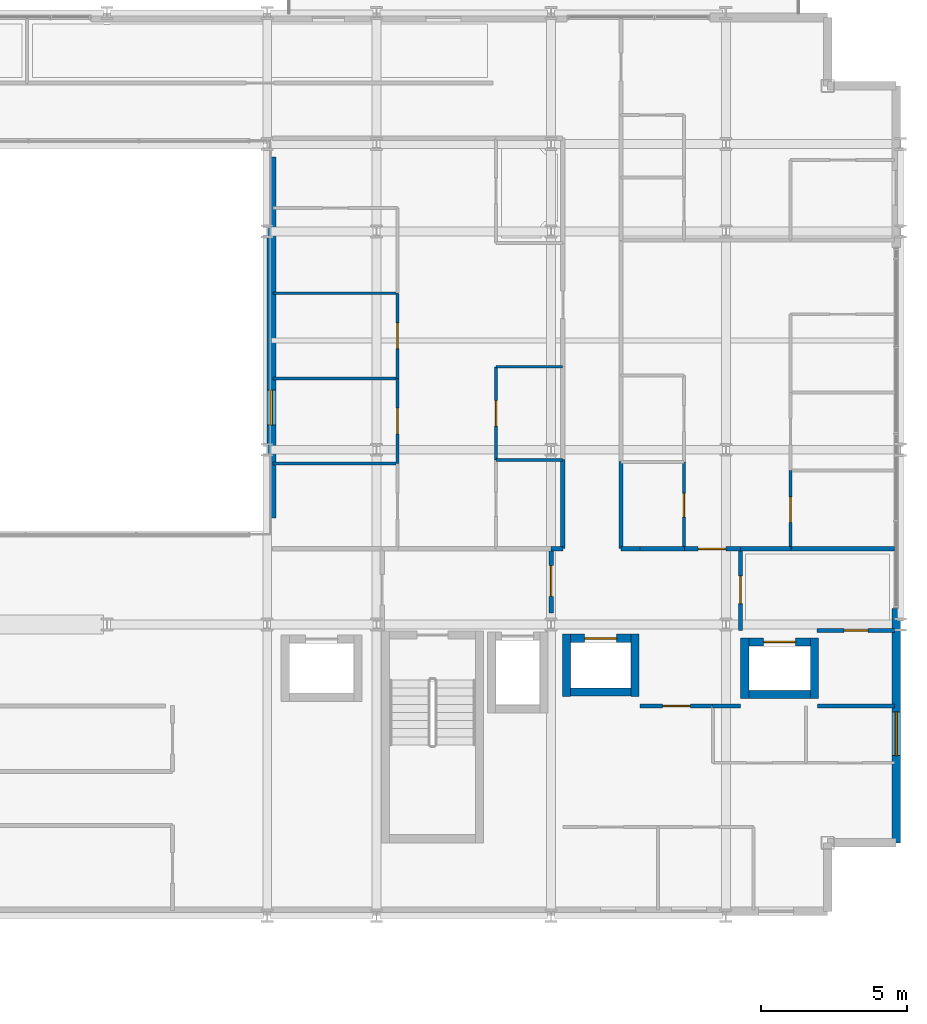
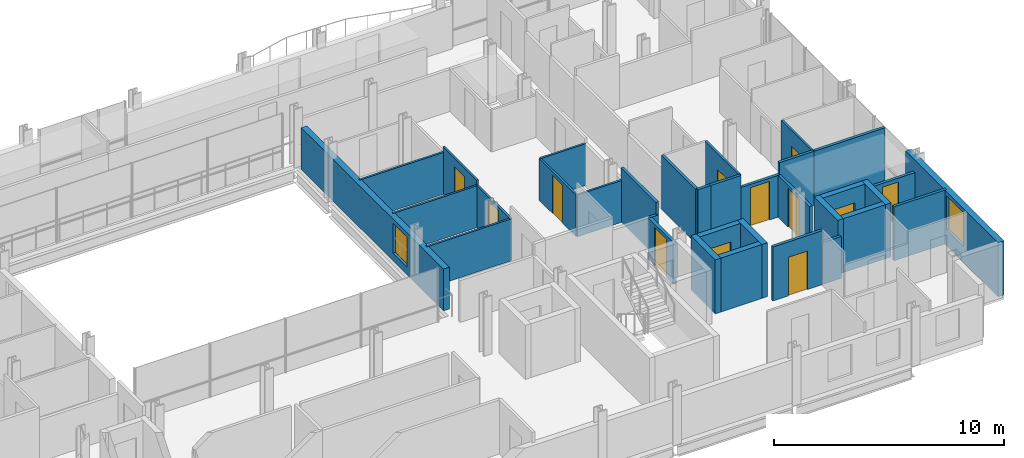
# One storey, part 35 of 41: 34 walls, 12 doors, 2 windows, 14 openings.
"""IFC4 building model written with IfcOpenShell, lengths in metres."""

from ifc_helpers import new_model, si_unit, direction, frame, frame_2d, origin, place, context, subcontext, project, spatial, rectangle, extrude, material, layer, layer_set, type_object, element, fill, save


model = new_model("IFC4")

# Units and contexts
model_context = context("Model", 3, precision=1e-05, world=origin(), true_north=direction((0.0, 1.0)))
body_context = subcontext(model_context, "Body", "Model", "MODEL_VIEW")
ifc_project = project(units=[si_unit("LENGTHUNIT", "METRE"), si_unit("AREAUNIT", "SQUARE_METRE"), si_unit("VOLUMEUNIT", "CUBIC_METRE"), si_unit("PLANEANGLEUNIT", "RADIAN"), si_unit("MASSUNIT", "GRAM", prefix="KILO")], contexts=[model_context])

# Site, building, storey
site_placement = place(None, origin())
site = spatial("IfcSite", under=ifc_project, at=site_placement, CompositionType="ELEMENT")
building_placement = place(site_placement, origin())
building = spatial("IfcBuilding", under=site, at=building_placement, Name="Brevholm Reach", CompositionType="ELEMENT")
storey_placement = place(building_placement, frame((0.0, 0.0, 68.300048828125)))
storey = spatial("IfcBuildingStorey", under=building, at=storey_placement, Name="L19", CompositionType="ELEMENT", Elevation=68.300048828125)

# Walls
ifc_material_1 = material(Name="Concrete C50/60", Category="concrete")
ifc_layer_1 = layer(ifc_material_1, 0.280029296875)
ifc_layer_set_1 = layer_set([ifc_layer_1], Name="Concrete C50/60")
wall_type_1 = type_object("IfcWallType", Name="WAL-COR-280", PredefinedType="SHEAR", material=ifc_layer_set_1)
for number, where, z_axis, x_axis, name in (
    (1, (48.52490234375, 7.534912109375, 0.0), (0.0, 0.0, 1.0), (0.0, 1.0, 0.0), "L19 Lift PL-L1 Shaft Wall W"),
    (2, (50.875, 7.534912109375, 0.0), (0.0, 0.0, 1.0), (0.0, 1.0, 0.0), "L19 Lift PL-L1 Shaft Wall E"),
):
    element("IfcWall", number, at=place(storey_placement, frame(where, z_axis=z_axis, x_axis=x_axis)), inside=storey, type_object=wall_type_1, Name=name, PredefinedType="SHEAR", context=body_context, shape_type="SweptSolid", body=[
        extrude(rectangle(XDim=2.130126953125, YDim=0.280029296875, at=frame_2d((1.06494140625, 0.0))), origin(), (0.0, 0.0, 1.0), 2.869873046875),
    ])
wall_1_placement = place(storey_placement, frame((48.6650390625, 7.675048828125, 0.0), z_axis=(0.0, 0.0, 1.0), x_axis=(1.0, 0.0, 0.0)))
element("IfcWall", 3, at=wall_1_placement, inside=storey, type_object=wall_type_1, Name="L19 Lift PL-L1 Shaft Wall S", PredefinedType="SHEAR", context=body_context, shape_type="SweptSolid", body=[
    extrude(rectangle(XDim=2.070068359375, YDim=0.280029296875, at=frame_2d((1.03515625, 0.0))), origin(), (0.0, 0.0, 1.0), 2.869873046875),
])

# Wall, opening, door
wall_2_placement = place(storey_placement, frame((48.6650390625, 9.52490234375, 0.0), z_axis=(0.0, 0.0, 1.0), x_axis=(1.0, 0.0, 0.0)))
wall_2 = element("IfcWall", 4, at=wall_2_placement, inside=storey, type_object=wall_type_1, Name="L19 Lift PL-L1 Shaft Wall N", PredefinedType="SHEAR", context=body_context, shape_type="SweptSolid", body=[
    extrude(rectangle(XDim=2.070068359375, YDim=0.280029296875, at=frame_2d((1.03515625, 0.0))), origin(), (0.0, 0.0, 1.0), 2.869873046875),
])
opening_1_placement = place(wall_2_placement, frame((0.485107421875, 0.0, 0.0)))
opening_1 = element("IfcOpeningElement", 5, at=opening_1_placement, cuts=wall_2, Name="Opening LD-PL-L1", PredefinedType="OPENING", context=body_context, shape_type="SweptSolid", body=[
    extrude(rectangle(XDim=1.10009765625, YDim=2.06005859375, at=frame_2d((0.550048828125, 1.030029296875))), frame((0.0, 0.14990234375, 0.0), z_axis=(0.0, -1.0, 0.0), x_axis=(1.0, 0.0, 0.0)), (0.0, 0.0, 1.0), 0.300048828125),
])
ifc_material_2 = material(Name="Brushed Stainless Steel Fire-Rated Sliding Lift Door", Category="steel")
door_type_1 = type_object("IfcDoorType", Name="DOR-LFT-1100", OperationType="NOTDEFINED", PredefinedType="DOOR", material=ifc_material_2)
door_1_placement = place(opening_1_placement, origin())
door_1 = element("IfcDoor", 6, at=door_1_placement, inside=storey, type_object=door_type_1, Name="L19 Lift PL-L1 Sliding Landing Door", OperationType="SLIDING_TO_LEFT", OverallHeight=2.06005859375, OverallWidth=1.10009765625, PredefinedType="DOOR", context=body_context, shape_type="SweptSolid", body=[
    extrude(rectangle(XDim=1.10009765625, YDim=2.06005859375, at=frame_2d((0.550048828125, 1.030029296875))), frame((0.0, 0.02490234375, 0.0), z_axis=(0.0, -1.0, 0.0), x_axis=(1.0, 0.0, 0.0)), (0.0, 0.0, 1.0), 0.050048828125),
])
fill(opening_1, door_1)

# Walls
for number, where, z_axis, x_axis, name in (
    (7, (54.64990234375, 7.4599609375, 0.0), (0.0, 0.0, 1.0), (0.0, 1.0, 0.0), "L19 Lift PL-L2 Shaft Wall W"),
    (8, (57.050048828125, 7.4599609375, 0.0), (0.0, 0.0, 1.0), (0.0, 1.0, 0.0), "L19 Lift PL-L2 Shaft Wall E"),
):
    element("IfcWall", number, at=place(storey_placement, frame(where, z_axis=z_axis, x_axis=x_axis)), inside=storey, type_object=wall_type_1, Name=name, PredefinedType="SHEAR", context=body_context, shape_type="SweptSolid", body=[
        extrude(rectangle(XDim=2.080078125, YDim=0.280029296875, at=frame_2d((1.0400390625, 0.0))), origin(), (0.0, 0.0, 1.0), 2.869873046875),
    ])
wall_3_placement = place(storey_placement, frame((54.7900390625, 7.60009765625, 0.0), z_axis=(0.0, 0.0, 1.0), x_axis=(1.0, 0.0, 0.0)))
element("IfcWall", 9, at=wall_3_placement, inside=storey, type_object=wall_type_1, Name="L19 Lift PL-L2 Shaft Wall S", PredefinedType="SHEAR", context=body_context, shape_type="SweptSolid", body=[
    extrude(rectangle(XDim=2.119873046875, YDim=0.280029296875, at=frame_2d((1.06005859375, 0.0))), origin(), (0.0, 0.0, 1.0), 2.869873046875),
])

# Wall, opening, door
wall_4_placement = place(storey_placement, frame((54.7900390625, 9.39990234375, 0.0), z_axis=(0.0, 0.0, 1.0), x_axis=(1.0, 0.0, 0.0)))
wall_4 = element("IfcWall", 10, at=wall_4_placement, inside=storey, type_object=wall_type_1, Name="L19 Lift PL-L2 Shaft Wall N", PredefinedType="SHEAR", context=body_context, shape_type="SweptSolid", body=[
    extrude(rectangle(XDim=2.119873046875, YDim=0.280029296875, at=frame_2d((1.06005859375, 0.0))), origin(), (0.0, 0.0, 1.0), 2.869873046875),
])
opening_2_placement = place(wall_4_placement, frame((0.510009765625, 0.0, 0.0)))
opening_2 = element("IfcOpeningElement", 11, at=opening_2_placement, cuts=wall_4, Name="Opening LD-PL-L2", PredefinedType="OPENING", context=body_context, shape_type="SweptSolid", body=[
    extrude(rectangle(XDim=1.10009765625, YDim=2.06005859375, at=frame_2d((0.550048828125, 1.030029296875))), frame((0.0, 0.14990234375, 0.0), z_axis=(0.0, -1.0, 0.0), x_axis=(1.0, 0.0, 0.0)), (0.0, 0.0, 1.0), 0.300048828125),
])
door_2_placement = place(opening_2_placement, origin())
door_2 = element("IfcDoor", 12, at=door_2_placement, inside=storey, type_object=door_type_1, Name="L19 Lift PL-L2 Sliding Landing Door", OperationType="SLIDING_TO_RIGHT", OverallHeight=2.06005859375, OverallWidth=1.10009765625, PredefinedType="DOOR", context=body_context, shape_type="SweptSolid", body=[
    extrude(rectangle(XDim=1.10009765625, YDim=2.06005859375, at=frame_2d((0.550048828125, 1.030029296875))), frame((0.0, 0.02490234375, 0.0), z_axis=(0.0, -1.0, 0.0), x_axis=(1.0, 0.0, 0.0)), (0.0, 0.0, 1.0), 0.050048828125),
])
fill(opening_2, door_2)

# Wall, opening, window
ifc_material_3 = material(Name="Concrete C40/50", Category="concrete")
ifc_layer_2 = layer(ifc_material_3, 0.300048828125)
ifc_layer_set_2 = layer_set([ifc_layer_2], Name="Concrete C40/50")
wall_type_2 = type_object("IfcWallType", Name="WAL-EXT-300", PredefinedType="STANDARD", material=ifc_layer_set_2)
wall_5_placement = place(storey_placement, frame((59.85009765625, 2.5, 0.0), z_axis=(0.0, 0.0, 1.0), x_axis=(0.0, 1.0, 0.0)))
wall_5 = element("IfcWall", 13, at=wall_5_placement, inside=storey, type_object=wall_type_2, Name="L19 Facade Wall WAL-L19-E-S", PredefinedType="STANDARD", context=body_context, shape_type="SweptSolid", body=[
    extrude(rectangle(XDim=8.050048828125, YDim=0.300048828125, at=frame_2d((4.02490234375, 0.0))), origin(), (0.0, 0.0, 1.0), 2.869873046875),
])
opening_3_placement = place(wall_5_placement, frame((3.0, 0.0, 0.85009765625)))
opening_3 = element("IfcOpeningElement", 14, at=opening_3_placement, cuts=wall_5, Name="Opening WN-05", PredefinedType="OPENING", context=body_context, shape_type="SweptSolid", body=[
    extrude(rectangle(XDim=1.5, YDim=1.800048828125, at=frame_2d((0.75, 0.89990234375))), frame((0.0, 0.159912109375, 0.0), z_axis=(0.0, -1.0, 0.0), x_axis=(1.0, 0.0, 0.0)), (0.0, 0.0, 1.0), 0.320068359375),
])
ifc_material_4 = material(Name="Dark Anodised Aluminium and Solar-Control IGU Glass", Category="aluminium")
window_type_1 = type_object("IfcWindowType", Name="WIN-RES-1500", PartitioningType="SINGLE_PANEL", PredefinedType="WINDOW", material=ifc_material_4)
window_1_placement = place(opening_3_placement, origin())
window_1 = element("IfcWindow", 15, at=window_1_placement, inside=storey, type_object=window_type_1, Name="L19 Window WIN-L19-ES-1", OverallHeight=1.800048828125, OverallWidth=1.5, PartitioningType="SINGLE_PANEL", PredefinedType="WINDOW", context=body_context, shape_type="SweptSolid", body=[
    extrude(rectangle(XDim=1.5, YDim=1.800048828125, at=frame_2d((0.75, 0.89990234375))), frame((0.0, 0.030029296875, 0.0), z_axis=(0.0, -1.0, 0.0), x_axis=(1.0, 0.0, 0.0)), (0.0, 0.0, 1.0), 0.06005859375),
])
fill(opening_3, window_1)

wall_6_placement = place(storey_placement, frame((38.39990234375, 13.64990234375, 0.0), z_axis=(0.0, 0.0, 1.0), x_axis=(0.0, 1.0, 0.0)))
wall_6 = element("IfcWall", 16, at=wall_6_placement, inside=storey, type_object=wall_type_2, Name="L19 Facade Wall WAL-L19-AT-E", PredefinedType="STANDARD", context=body_context, shape_type="SweptSolid", body=[
    extrude(rectangle(XDim=12.400146484375, YDim=0.300048828125, at=frame_2d((6.2001953125, 0.0))), origin(), (0.0, 0.0, 1.0), 2.224853515625),
])
opening_4_placement = place(wall_6_placement, frame((3.199951171875, 0.0, 0.405029296875)))
opening_4 = element("IfcOpeningElement", 17, at=opening_4_placement, cuts=wall_6, Name="Opening WN-08", PredefinedType="OPENING", context=body_context, shape_type="SweptSolid", body=[
    extrude(rectangle(XDim=1.199951171875, YDim=1.60009765625, at=frame_2d((0.60009765625, 0.800048828125))), frame((0.0, 0.159912109375, 0.0), z_axis=(0.0, -1.0, 0.0), x_axis=(1.0, 0.0, 0.0)), (0.0, 0.0, 1.0), 0.320068359375),
])
ifc_material_5 = material(Name="Dark Anodised Aluminium and Solar-Control IGU Glass", Category="aluminium")
window_type_2 = type_object("IfcWindowType", Name="WIN-RES-1200", PartitioningType="SINGLE_PANEL", PredefinedType="WINDOW", material=ifc_material_5)
window_2_placement = place(opening_4_placement, origin())
window_2 = element("IfcWindow", 18, at=window_2_placement, inside=storey, type_object=window_type_2, Name="L19 Window WIN-L19-AT-E1", OverallHeight=1.60009765625, OverallWidth=1.199951171875, PartitioningType="SINGLE_PANEL", PredefinedType="WINDOW", context=body_context, shape_type="SweptSolid", body=[
    extrude(rectangle(XDim=1.199951171875, YDim=1.60009765625, at=frame_2d((0.60009765625, 0.800048828125))), frame((0.0, 0.030029296875, 0.0), z_axis=(0.0, -1.0, 0.0), x_axis=(1.0, 0.0, 0.0)), (0.0, 0.0, 1.0), 0.06005859375),
])
fill(opening_4, window_2)

# Walls
ifc_material_6 = material(Name="Moisture-Resistant Acoustic Gypsum Stud Partition 100 mm", Category="gypsum")
ifc_layer_3 = layer(ifc_material_6, 0.10009765625)
ifc_layer_set_3 = layer_set([ifc_layer_3], Name="Moisture-Resistant Acoustic Gypsum Stud Partition 100 mm")
wall_type_3 = type_object("IfcWallType", Name="WAL-PRT-100", PredefinedType="PARTITIONING", material=ifc_layer_set_3)
for number, where, z_axis, x_axis, name in (
    (19, (46.112060546875, 15.64990234375, 0.0), (0.0, 0.0, 1.0), (1.0, 0.0, 0.0), "L19 Internal Partition 124"),
    (20, (46.112060546875, 18.85009765625, 0.0), (0.0, 0.0, 1.0), (1.0, 0.0, 0.0), "L19 Internal Partition 126"),
):
    element("IfcWall", number, at=place(storey_placement, frame(where, z_axis=z_axis, x_axis=x_axis)), inside=storey, type_object=wall_type_3, Name=name, PredefinedType="PARTITIONING", context=body_context, shape_type="SweptSolid", body=[
        extrude(rectangle(XDim=2.283935546875, YDim=0.10009765625, at=frame_2d((1.14208984375, 0.0))), origin(), (0.0, 0.0, 1.0), 2.224853515625),
    ])

# Wall, opening, door
wall_7_placement = place(storey_placement, frame((46.112060546875, 15.654052734375, 0.0), z_axis=(0.0, 0.0, 1.0), x_axis=(0.0, 1.0, 0.0)))
wall_7 = element("IfcWall", 21, at=wall_7_placement, inside=storey, type_object=wall_type_3, Name="L19 Internal Partition 127", PredefinedType="PARTITIONING", context=body_context, shape_type="SweptSolid", body=[
    extrude(rectangle(XDim=3.196044921875, YDim=0.10009765625, at=frame_2d((1.59814453125, 0.0))), origin(), (0.0, 0.0, 1.0), 2.224853515625),
])
opening_5_placement = place(wall_7_placement, frame((1.157958984375, 0.0, 0.0)))
opening_5 = element("IfcOpeningElement", 22, at=opening_5_placement, cuts=wall_7, Name="Opening ID-01", PredefinedType="OPENING", context=body_context, shape_type="SweptSolid", body=[
    extrude(rectangle(XDim=0.8798828125, YDim=2.0400390625, at=frame_2d((0.43994140625, 1.02001953125))), frame((0.0, 0.06005859375, 0.0), z_axis=(0.0, -1.0, 0.0), x_axis=(1.0, 0.0, 0.0)), (0.0, 0.0, 1.0), 0.1201171875),
])
ifc_material_7 = material(Name="Lacquered Ash Solid-Core Acoustic Internal Door", Category="timber")
door_type_2 = type_object("IfcDoorType", Name="DOR-INT-880", OperationType="NOTDEFINED", PredefinedType="DOOR", material=ifc_material_7)
door_3_placement = place(opening_5_placement, origin())
door_3 = element("IfcDoor", 23, at=door_3_placement, inside=storey, type_object=door_type_2, Name="L19 Internal Door 049", OperationType="SINGLE_SWING_LEFT", OverallHeight=2.0400390625, OverallWidth=0.8798828125, PredefinedType="DOOR", context=body_context, shape_type="SweptSolid", body=[
    extrude(rectangle(XDim=0.8798828125, YDim=2.0400390625, at=frame_2d((0.43994140625, 1.02001953125))), frame((0.0, 0.02490234375, 0.0), z_axis=(0.0, -1.0, 0.0), x_axis=(1.0, 0.0, 0.0)), (0.0, 0.0, 1.0), 0.050048828125),
])
fill(opening_5, door_3)

# Walls
for number, where, z_axis, x_axis, name in (
    (24, (38.449951171875, 15.52490234375, 0.0), (0.0, 0.0, 1.0), (1.0, 0.0, 0.0), "L19 Internal Partition 130"),
    (25, (38.449951171875, 18.449951171875, 0.0), (0.0, 0.0, 1.0), (1.0, 0.0, 0.0), "L19 Internal Partition 132"),
):
    element("IfcWall", number, at=place(storey_placement, frame(where, z_axis=z_axis, x_axis=x_axis)), inside=storey, type_object=wall_type_3, Name=name, PredefinedType="PARTITIONING", context=body_context, shape_type="SweptSolid", body=[
        extrude(rectangle(XDim=4.278076171875, YDim=0.10009765625, at=frame_2d((2.13916015625, 0.0))), origin(), (0.0, 0.0, 1.0), 2.224853515625),
    ])

# Wall, opening, door
wall_8_placement = place(storey_placement, frame((42.72802734375, 15.529052734375, 0.0), z_axis=(0.0, 0.0, 1.0), x_axis=(0.0, 1.0, 0.0)))
wall_8 = element("IfcWall", 26, at=wall_8_placement, inside=storey, type_object=wall_type_3, Name="L19 Internal Partition 133", PredefinedType="PARTITIONING", context=body_context, shape_type="SweptSolid", body=[
    extrude(rectangle(XDim=2.9208984375, YDim=0.10009765625, at=frame_2d((1.46044921875, 0.0))), origin(), (0.0, 0.0, 1.0), 2.224853515625),
])
opening_6_placement = place(wall_8_placement, frame((1.0205078125, 0.0, 0.0)))
opening_6 = element("IfcOpeningElement", 27, at=opening_6_placement, cuts=wall_8, Name="Opening ID-01", PredefinedType="OPENING", context=body_context, shape_type="SweptSolid", body=[
    extrude(rectangle(XDim=0.8798828125, YDim=2.0400390625, at=frame_2d((0.43994140625, 1.02001953125))), frame((0.0, 0.06005859375, 0.0), z_axis=(0.0, -1.0, 0.0), x_axis=(1.0, 0.0, 0.0)), (0.0, 0.0, 1.0), 0.1201171875),
])
door_4_placement = place(opening_6_placement, origin())
door_4 = element("IfcDoor", 28, at=door_4_placement, inside=storey, type_object=door_type_2, Name="L19 Internal Door 052", OperationType="SINGLE_SWING_RIGHT", OverallHeight=2.0400390625, OverallWidth=0.8798828125, PredefinedType="DOOR", context=body_context, shape_type="SweptSolid", body=[
    extrude(rectangle(XDim=0.8798828125, YDim=2.0400390625, at=frame_2d((0.43994140625, 1.02001953125))), frame((0.0, 0.02490234375, 0.0), z_axis=(0.0, -1.0, 0.0), x_axis=(1.0, 0.0, 0.0)), (0.0, 0.0, 1.0), 0.050048828125),
])
fill(opening_6, door_4)

# Wall
wall_9_placement = place(storey_placement, frame((38.449951171875, 21.375, 0.0), z_axis=(0.0, 0.0, 1.0), x_axis=(1.0, 0.0, 0.0)))
element("IfcWall", 29, at=wall_9_placement, inside=storey, type_object=wall_type_3, Name="L19 Internal Partition 134", PredefinedType="PARTITIONING", context=body_context, shape_type="SweptSolid", body=[
    extrude(rectangle(XDim=4.278076171875, YDim=0.10009765625, at=frame_2d((2.13916015625, 0.0))), origin(), (0.0, 0.0, 1.0), 2.224853515625),
])

# Wall, opening, door
wall_10_placement = place(storey_placement, frame((42.72802734375, 18.4541015625, 0.0), z_axis=(0.0, 0.0, 1.0), x_axis=(0.0, 1.0, 0.0)))
wall_10 = element("IfcWall", 30, at=wall_10_placement, inside=storey, type_object=wall_type_3, Name="L19 Internal Partition 135", PredefinedType="PARTITIONING", context=body_context, shape_type="SweptSolid", body=[
    extrude(rectangle(XDim=2.9208984375, YDim=0.10009765625, at=frame_2d((1.46044921875, 0.0))), origin(), (0.0, 0.0, 1.0), 2.489990234375),
])
opening_7_placement = place(wall_10_placement, frame((1.0205078125, 0.0, 0.0)))
opening_7 = element("IfcOpeningElement", 31, at=opening_7_placement, cuts=wall_10, Name="Opening ID-01", PredefinedType="OPENING", context=body_context, shape_type="SweptSolid", body=[
    extrude(rectangle(XDim=0.8798828125, YDim=2.0400390625, at=frame_2d((0.43994140625, 1.02001953125))), frame((0.0, 0.06005859375, 0.0), z_axis=(0.0, -1.0, 0.0), x_axis=(1.0, 0.0, 0.0)), (0.0, 0.0, 1.0), 0.1201171875),
])
door_5_placement = place(opening_7_placement, origin())
door_5 = element("IfcDoor", 32, at=door_5_placement, inside=storey, type_object=door_type_2, Name="L19 Internal Door 053", OperationType="SINGLE_SWING_LEFT", OverallHeight=2.0400390625, OverallWidth=0.8798828125, PredefinedType="DOOR", context=body_context, shape_type="SweptSolid", body=[
    extrude(rectangle(XDim=0.8798828125, YDim=2.0400390625, at=frame_2d((0.43994140625, 1.02001953125))), frame((0.0, 0.02490234375, 0.0), z_axis=(0.0, -1.0, 0.0), x_axis=(1.0, 0.0, 0.0)), (0.0, 0.0, 1.0), 0.050048828125),
])
fill(opening_7, door_5)

wall_11_placement = place(storey_placement, frame((52.56201171875, 12.60400390625, 0.0), z_axis=(0.0, 0.0, 1.0), x_axis=(0.0, 1.0, 0.0)))
wall_11 = element("IfcWall", 33, at=wall_11_placement, inside=storey, type_object=wall_type_3, Name="L19 Internal Partition 139", PredefinedType="PARTITIONING", context=body_context, shape_type="SweptSolid", body=[
    extrude(rectangle(XDim=2.97802734375, YDim=0.10009765625, at=frame_2d((1.489013671875, 0.0))), origin(), (0.0, 0.0, 1.0), 2.869873046875),
])
opening_8_placement = place(wall_11_placement, frame((1.0791015625, 0.0, 0.0)))
opening_8 = element("IfcOpeningElement", 34, at=opening_8_placement, cuts=wall_11, Name="Opening ID-03", PredefinedType="OPENING", context=body_context, shape_type="SweptSolid", body=[
    extrude(rectangle(XDim=0.820068359375, YDim=2.02001953125, at=frame_2d((0.41015625, 1.010009765625))), frame((0.0, 0.06005859375, 0.0), z_axis=(0.0, -1.0, 0.0), x_axis=(1.0, 0.0, 0.0)), (0.0, 0.0, 1.0), 0.1201171875),
])
ifc_material_8 = material(Name="Moisture-Resistant Painted Timber Internal Bathroom Door", Category="wood")
door_type_3 = type_object("IfcDoorType", Name="DOR-BATH-820", OperationType="NOTDEFINED", PredefinedType="DOOR", material=ifc_material_8)
door_6_placement = place(opening_8_placement, origin())
door_6 = element("IfcDoor", 35, at=door_6_placement, inside=storey, type_object=door_type_3, Name="L19 Internal Door 055", OperationType="SINGLE_SWING_LEFT", OverallHeight=2.02001953125, OverallWidth=0.820068359375, PredefinedType="DOOR", context=body_context, shape_type="SweptSolid", body=[
    extrude(rectangle(XDim=0.820068359375, YDim=2.02001953125, at=frame_2d((0.41015625, 1.010009765625))), frame((0.0, 0.02490234375, 0.0), z_axis=(0.0, -1.0, 0.0), x_axis=(1.0, 0.0, 0.0)), (0.0, 0.0, 1.0), 0.050048828125),
])
fill(opening_8, door_6)

wall_12_placement = place(storey_placement, frame((56.22802734375, 12.60400390625, 0.0), z_axis=(0.0, 0.0, 1.0), x_axis=(0.0, 1.0, 0.0)))
wall_12 = element("IfcWall", 36, at=wall_12_placement, inside=storey, type_object=wall_type_3, Name="L19 Internal Partition 143", PredefinedType="PARTITIONING", context=body_context, shape_type="SweptSolid", body=[
    extrude(rectangle(XDim=2.680908203125, YDim=0.10009765625, at=frame_2d((1.34033203125, 0.0))), origin(), (0.0, 0.0, 1.0), 2.869873046875),
])
opening_9_placement = place(wall_12_placement, frame((0.900390625, 0.0, 0.0)))
opening_9 = element("IfcOpeningElement", 37, at=opening_9_placement, cuts=wall_12, Name="Opening ID-01", PredefinedType="OPENING", context=body_context, shape_type="SweptSolid", body=[
    extrude(rectangle(XDim=0.8798828125, YDim=2.0400390625, at=frame_2d((0.43994140625, 1.02001953125))), frame((0.0, 0.06005859375, 0.0), z_axis=(0.0, -1.0, 0.0), x_axis=(1.0, 0.0, 0.0)), (0.0, 0.0, 1.0), 0.1201171875),
])
door_7_placement = place(opening_9_placement, origin())
door_7 = element("IfcDoor", 38, at=door_7_placement, inside=storey, type_object=door_type_2, Name="L19 Internal Door 057", OperationType="SINGLE_SWING_LEFT", OverallHeight=2.0400390625, OverallWidth=0.8798828125, PredefinedType="DOOR", context=body_context, shape_type="SweptSolid", body=[
    extrude(rectangle(XDim=0.8798828125, YDim=2.0400390625, at=frame_2d((0.43994140625, 1.02001953125))), frame((0.0, 0.02490234375, 0.0), z_axis=(0.0, -1.0, 0.0), x_axis=(1.0, 0.0, 0.0)), (0.0, 0.0, 1.0), 0.050048828125),
])
fill(opening_9, door_7)

ifc_material_9 = material(Name="Twin-Stud Acoustic Fire-Rated Gypsum Partition 140 mm", Category="gypsum")
ifc_layer_4 = layer(ifc_material_9, 0.139892578125)
ifc_layer_set_4 = layer_set([ifc_layer_4], Name="Twin-Stud Acoustic Fire-Rated Gypsum Partition 140 mm")
wall_type_4 = type_object("IfcWallType", Name="WAL-PRT-140", PredefinedType="PARTITIONING", material=ifc_layer_set_4)
wall_13_placement = place(storey_placement, frame((54.5, 9.788818359375, 0.0), z_axis=(0.0, 0.0, 1.0), x_axis=(0.0, 1.0, 0.0)))
wall_13 = element("IfcWall", 39, at=wall_13_placement, inside=storey, type_object=wall_type_4, Name="L19 Internal Partition 013", PredefinedType="PARTITIONING", context=body_context, shape_type="SweptSolid", body=[
    extrude(rectangle(XDim=2.811279296875, YDim=0.139892578125, at=frame_2d((1.40576171875, 0.0))), origin(), (0.0, 0.0, 1.0), 2.224853515625),
])
opening_10_placement = place(wall_13_placement, frame((0.9306640625, 0.0, 0.0)))
opening_10 = element("IfcOpeningElement", 40, at=opening_10_placement, cuts=wall_13, Name="Opening ID-30", PredefinedType="OPENING", context=body_context, shape_type="SweptSolid", body=[
    extrude(rectangle(XDim=0.949951171875, YDim=2.050048828125, at=frame_2d((0.47509765625, 1.02490234375))), frame((0.0, 0.079833984375, 0.0), z_axis=(0.0, -1.0, 0.0), x_axis=(1.0, 0.0, 0.0)), (0.0, 0.0, 1.0), 0.159912109375),
])
ifc_material_10 = material(Name="European Oak Veneered Solid-Core Fire Entrance Door", Category="timber")
door_type_4 = type_object("IfcDoorType", Name="DOR-FLT-FD30S", OperationType="NOTDEFINED", PredefinedType="DOOR", material=ifc_material_10)
door_8_placement = place(opening_10_placement, origin())
door_8 = element("IfcDoor", 41, at=door_8_placement, inside=storey, type_object=door_type_4, Name="L19 Internal Door 008", OperationType="SINGLE_SWING_RIGHT", OverallHeight=2.050048828125, OverallWidth=0.949951171875, PredefinedType="DOOR", context=body_context, shape_type="SweptSolid", body=[
    extrude(rectangle(XDim=0.949951171875, YDim=2.050048828125, at=frame_2d((0.47509765625, 1.02490234375))), frame((0.0, 0.02490234375, 0.0), z_axis=(0.0, -1.0, 0.0), x_axis=(1.0, 0.0, 0.0)), (0.0, 0.0, 1.0), 0.050048828125),
])
fill(opening_10, door_8)

# Wall
wall_14_placement = place(storey_placement, frame((53.546630859375, 7.199951171875, 0.0), z_axis=(0.0, 0.0, 1.0), x_axis=(1.0, 0.0, 0.0)))
element("IfcWall", 42, at=wall_14_placement, inside=storey, type_object=wall_type_4, Name="L19 Internal Partition 014", PredefinedType="PARTITIONING", context=body_context, shape_type="SweptSolid", body=[
    extrude(rectangle(XDim=0.953369140625, YDim=0.139892578125, at=frame_2d((0.4765625, 0.0))), origin(), (0.0, 0.0, 1.0), 2.224853515625),
])

# Wall, opening, door
wall_15_placement = place(storey_placement, frame((51.050048828125, 7.199951171875, 0.0), z_axis=(0.0, 0.0, 1.0), x_axis=(1.0, 0.0, 0.0)))
wall_15 = element("IfcWall", 43, at=wall_15_placement, inside=storey, type_object=wall_type_4, Name="L19 Internal Partition 015", PredefinedType="PARTITIONING", context=body_context, shape_type="SweptSolid", body=[
    extrude(rectangle(XDim=2.51513671875, YDim=0.139892578125, at=frame_2d((1.257568359375, 0.0))), origin(), (0.0, 0.0, 1.0), 2.869873046875),
])
opening_11_placement = place(wall_15_placement, frame((0.78271484375, 0.0, 0.0)))
opening_11 = element("IfcOpeningElement", 44, at=opening_11_placement, cuts=wall_15, Name="Opening ID-30", PredefinedType="OPENING", context=body_context, shape_type="SweptSolid", body=[
    extrude(rectangle(XDim=0.949951171875, YDim=2.050048828125, at=frame_2d((0.47509765625, 1.02490234375))), frame((0.0, 0.079833984375, 0.0), z_axis=(0.0, -1.0, 0.0), x_axis=(1.0, 0.0, 0.0)), (0.0, 0.0, 1.0), 0.159912109375),
])
door_9_placement = place(opening_11_placement, origin())
door_9 = element("IfcDoor", 45, at=door_9_placement, inside=storey, type_object=door_type_4, Name="L19 Internal Door 009", OperationType="SINGLE_SWING_LEFT", OverallHeight=2.050048828125, OverallWidth=0.949951171875, PredefinedType="DOOR", context=body_context, shape_type="SweptSolid", body=[
    extrude(rectangle(XDim=0.949951171875, YDim=2.050048828125, at=frame_2d((0.47509765625, 1.02490234375))), frame((0.0, 0.02490234375, 0.0), z_axis=(0.0, -1.0, 0.0), x_axis=(1.0, 0.0, 0.0)), (0.0, 0.0, 1.0), 0.050048828125),
])
fill(opening_11, door_9)

# Wall
wall_16_placement = place(storey_placement, frame((51.050048828125, 12.60009765625, 0.0), z_axis=(0.0, 0.0, 1.0), x_axis=(1.0, 0.0, 0.0)))
element("IfcWall", 46, at=wall_16_placement, inside=storey, type_object=wall_type_4, Name="L19 Internal Partition 016", PredefinedType="PARTITIONING", context=body_context, shape_type="SweptSolid", body=[
    extrude(rectangle(XDim=1.523193359375, YDim=0.139892578125, at=frame_2d((0.76171875, 0.0))), origin(), (0.0, 0.0, 1.0), 2.869873046875),
])

# Wall, opening, door
wall_17_placement = place(storey_placement, frame((52.5546875, 12.60009765625, 0.0), z_axis=(0.0, 0.0, 1.0), x_axis=(1.0, 0.0, 0.0)))
wall_17 = element("IfcWall", 47, at=wall_17_placement, inside=storey, type_object=wall_type_4, Name="L19 Internal Partition 017", PredefinedType="PARTITIONING", context=body_context, shape_type="SweptSolid", body=[
    extrude(rectangle(XDim=1.9453125, YDim=0.139892578125, at=frame_2d((0.97265625, 0.0))), origin(), (0.0, 0.0, 1.0), 2.224853515625),
])
opening_12_placement = place(wall_17_placement, frame((0.497802734375, 0.0, 0.0)))
opening_12 = element("IfcOpeningElement", 48, at=opening_12_placement, cuts=wall_17, Name="Opening ID-30", PredefinedType="OPENING", context=body_context, shape_type="SweptSolid", body=[
    extrude(rectangle(XDim=0.949951171875, YDim=2.050048828125, at=frame_2d((0.47509765625, 1.02490234375))), frame((0.0, 0.079833984375, 0.0), z_axis=(0.0, -1.0, 0.0), x_axis=(1.0, 0.0, 0.0)), (0.0, 0.0, 1.0), 0.159912109375),
])
door_10_placement = place(opening_12_placement, origin())
door_10 = element("IfcDoor", 49, at=door_10_placement, inside=storey, type_object=door_type_4, Name="L19 Internal Door 010", OperationType="SINGLE_SWING_RIGHT", OverallHeight=2.050048828125, OverallWidth=0.949951171875, PredefinedType="DOOR", context=body_context, shape_type="SweptSolid", body=[
    extrude(rectangle(XDim=0.949951171875, YDim=2.050048828125, at=frame_2d((0.47509765625, 1.02490234375))), frame((0.0, 0.02490234375, 0.0), z_axis=(0.0, -1.0, 0.0), x_axis=(1.0, 0.0, 0.0)), (0.0, 0.0, 1.0), 0.050048828125),
])
fill(opening_12, door_10)

# Walls
wall_18_placement = place(storey_placement, frame((48.00390625, 12.60009765625, 0.0), z_axis=(0.0, 0.0, 1.0), x_axis=(1.0, 0.0, 0.0)))
element("IfcWall", 50, at=wall_18_placement, inside=storey, type_object=wall_type_4, Name="L19 Internal Partition 036", PredefinedType="PARTITIONING", context=body_context, shape_type="SweptSolid", body=[
    extrude(rectangle(XDim=0.4033203125, YDim=0.139892578125, at=frame_2d((0.20166015625, 0.0))), origin(), (0.0, 0.0, 1.0), 2.224853515625),
])
wall_19_placement = place(storey_placement, frame((50.392578125, 12.60009765625, 0.0), z_axis=(0.0, 0.0, 1.0), x_axis=(1.0, 0.0, 0.0)))
element("IfcWall", 51, at=wall_19_placement, inside=storey, type_object=wall_type_4, Name="L19 Internal Partition 037", PredefinedType="PARTITIONING", context=body_context, shape_type="SweptSolid", body=[
    extrude(rectangle(XDim=0.6533203125, YDim=0.139892578125, at=frame_2d((0.32666015625, 0.0))), origin(), (0.0, 0.0, 1.0), 2.869873046875),
])
wall_20_placement = place(storey_placement, frame((48.39990234375, 12.60400390625, 0.0), z_axis=(0.0, 0.0, 1.0), x_axis=(0.0, 1.0, 0.0)))
element("IfcWall", 52, at=wall_20_placement, inside=storey, type_object=wall_type_4, Name="L19 Internal Partition 048", PredefinedType="PARTITIONING", context=body_context, shape_type="SweptSolid", body=[
    extrude(rectangle(XDim=3.057373046875, YDim=0.139892578125, at=frame_2d((1.52880859375, 0.0))), origin(), (0.0, 0.0, 1.0), 2.869873046875),
])
wall_21_placement = place(storey_placement, frame((50.39990234375, 12.60400390625, 0.0), z_axis=(0.0, 0.0, 1.0), x_axis=(0.0, 1.0, 0.0)))
element("IfcWall", 53, at=wall_21_placement, inside=storey, type_object=wall_type_4, Name="L19 Internal Partition 052", PredefinedType="PARTITIONING", context=body_context, shape_type="SweptSolid", body=[
    extrude(rectangle(XDim=2.9892578125, YDim=0.139892578125, at=frame_2d((1.49462890625, 0.0))), origin(), (0.0, 0.0, 1.0), 2.869873046875),
])

# Wall, opening, door
wall_22_placement = place(storey_placement, frame((57.138671875, 9.800048828125, 0.0), z_axis=(0.0, 0.0, 1.0), x_axis=(1.0, 0.0, 0.0)))
wall_22 = element("IfcWall", 54, at=wall_22_placement, inside=storey, type_object=wall_type_4, Name="L19 Internal Partition 079", PredefinedType="PARTITIONING", context=body_context, shape_type="SweptSolid", body=[
    extrude(rectangle(XDim=2.661376953125, YDim=0.139892578125, at=frame_2d((1.33056640625, 0.0))), origin(), (0.0, 0.0, 1.0), 2.224853515625),
])
opening_13_placement = place(wall_22_placement, frame((0.920654296875, 0.0, 0.0)))
opening_13 = element("IfcOpeningElement", 55, at=opening_13_placement, cuts=wall_22, Name="Opening ID-02", PredefinedType="OPENING", context=body_context, shape_type="SweptSolid", body=[
    extrude(rectangle(XDim=0.820068359375, YDim=2.02001953125, at=frame_2d((0.41015625, 1.010009765625))), frame((0.0, 0.079833984375, 0.0), z_axis=(0.0, -1.0, 0.0), x_axis=(1.0, 0.0, 0.0)), (0.0, 0.0, 1.0), 0.159912109375),
])
ifc_material_11 = material(Name="Moisture-Resistant Painted Timber Fire-Rated Riser and Service Door", Category="wood")
door_type_5 = type_object("IfcDoorType", Name="DOR-SRV-820", OperationType="NOTDEFINED", PredefinedType="DOOR", material=ifc_material_11)
door_11_placement = place(opening_13_placement, origin())
door_11 = element("IfcDoor", 56, at=door_11_placement, inside=storey, type_object=door_type_5, Name="L19 Access Door 063", OperationType="SINGLE_SWING_LEFT", OverallHeight=2.02001953125, OverallWidth=0.820068359375, PredefinedType="DOOR", context=body_context, shape_type="SweptSolid", body=[
    extrude(rectangle(XDim=0.820068359375, YDim=2.02001953125, at=frame_2d((0.41015625, 1.010009765625))), frame((0.0, 0.02490234375, 0.0), z_axis=(0.0, -1.0, 0.0), x_axis=(1.0, 0.0, 0.0)), (0.0, 0.0, 1.0), 0.050048828125),
])
fill(opening_13, door_11)

# Walls
wall_23_placement = place(storey_placement, frame((56.216796875, 12.60009765625, 0.0), z_axis=(0.0, 0.0, 1.0), x_axis=(1.0, 0.0, 0.0)))
element("IfcWall", 57, at=wall_23_placement, inside=storey, type_object=wall_type_4, Name="L19 Internal Partition 080", PredefinedType="PARTITIONING", context=body_context, shape_type="SweptSolid", body=[
    extrude(rectangle(XDim=3.583251953125, YDim=0.139892578125, at=frame_2d((1.79150390625, 0.0))), origin(), (0.0, 0.0, 1.0), 2.869873046875),
])
wall_24_placement = place(storey_placement, frame((54.50390625, 12.60009765625, 0.0), z_axis=(0.0, 0.0, 1.0), x_axis=(1.0, 0.0, 0.0)))
element("IfcWall", 58, at=wall_24_placement, inside=storey, type_object=wall_type_4, Name="L19 Internal Partition 081", PredefinedType="PARTITIONING", context=body_context, shape_type="SweptSolid", body=[
    extrude(rectangle(XDim=1.7314453125, YDim=0.139892578125, at=frame_2d((0.86572265625, 0.0))), origin(), (0.0, 0.0, 1.0), 2.869873046875),
])
wall_25_placement = place(storey_placement, frame((57.14990234375, 7.199951171875, 0.0), z_axis=(0.0, 0.0, 1.0), x_axis=(1.0, 0.0, 0.0)))
element("IfcWall", 59, at=wall_25_placement, inside=storey, type_object=wall_type_4, Name="L19 Internal Partition 082", PredefinedType="PARTITIONING", context=body_context, shape_type="SweptSolid", body=[
    extrude(rectangle(XDim=2.650146484375, YDim=0.139892578125, at=frame_2d((1.3251953125, 0.0))), origin(), (0.0, 0.0, 1.0), 2.869873046875),
])

# Wall, opening, door
ifc_material_12 = material(Name="Twin-Frame Fire-Rated Gypsum Board and Mineral Wool 160 mm", Category="gypsum")
ifc_layer_5 = layer(ifc_material_12, 0.159912109375)
ifc_layer_set_5 = layer_set([ifc_layer_5], Name="Twin-Frame Fire-Rated Gypsum Board and Mineral Wool 160 mm")
wall_type_5 = type_object("IfcWallType", Name="WAL-PRT-160", PredefinedType="PARTITIONING", material=ifc_layer_set_5)
wall_26_placement = place(storey_placement, frame((48.0, 10.388671875, 0.0), z_axis=(0.0, 0.0, 1.0), x_axis=(0.0, 1.0, 0.0)))
wall_26 = element("IfcWall", 60, at=wall_26_placement, inside=storey, type_object=wall_type_5, Name="L19 Internal Partition 025", PredefinedType="PARTITIONING", context=body_context, shape_type="SweptSolid", body=[
    extrude(rectangle(XDim=2.21142578125, YDim=0.159912109375, at=frame_2d((1.105712890625, 0.0))), origin(), (0.0, 0.0, 1.0), 2.224853515625),
])
opening_14_placement = place(wall_26_placement, frame((0.58056640625, 0.0, 0.0)))
opening_14 = element("IfcOpeningElement", 61, at=opening_14_placement, cuts=wall_26, Name="Opening FD-01", PredefinedType="OPENING", context=body_context, shape_type="SweptSolid", body=[
    extrude(rectangle(XDim=1.050048828125, YDim=2.06005859375, at=frame_2d((0.52490234375, 1.030029296875))), frame((0.0, 0.08984375, 0.0), z_axis=(0.0, -1.0, 0.0), x_axis=(1.0, 0.0, 0.0)), (0.0, 0.0, 1.0), 0.179931640625),
])
ifc_material_13 = material(Name="Hardwood-Lipped Steel-Core Fire and Smoke Door", Category="steel")
door_type_6 = type_object("IfcDoorType", Name="DOR-INT-FD60S", OperationType="NOTDEFINED", PredefinedType="DOOR", material=ifc_material_13)
door_12_placement = place(opening_14_placement, origin())
door_12 = element("IfcDoor", 62, at=door_12_placement, inside=storey, type_object=door_type_6, Name="L19 Internal Door 014", OperationType="SINGLE_SWING_RIGHT", OverallHeight=2.06005859375, OverallWidth=1.050048828125, PredefinedType="DOOR", context=body_context, shape_type="SweptSolid", body=[
    extrude(rectangle(XDim=1.050048828125, YDim=2.06005859375, at=frame_2d((0.52490234375, 1.030029296875))), frame((0.0, 0.02490234375, 0.0), z_axis=(0.0, -1.0, 0.0), x_axis=(1.0, 0.0, 0.0)), (0.0, 0.0, 1.0), 0.050048828125),
])
fill(opening_14, door_12)

save(model, "model.ifc")
